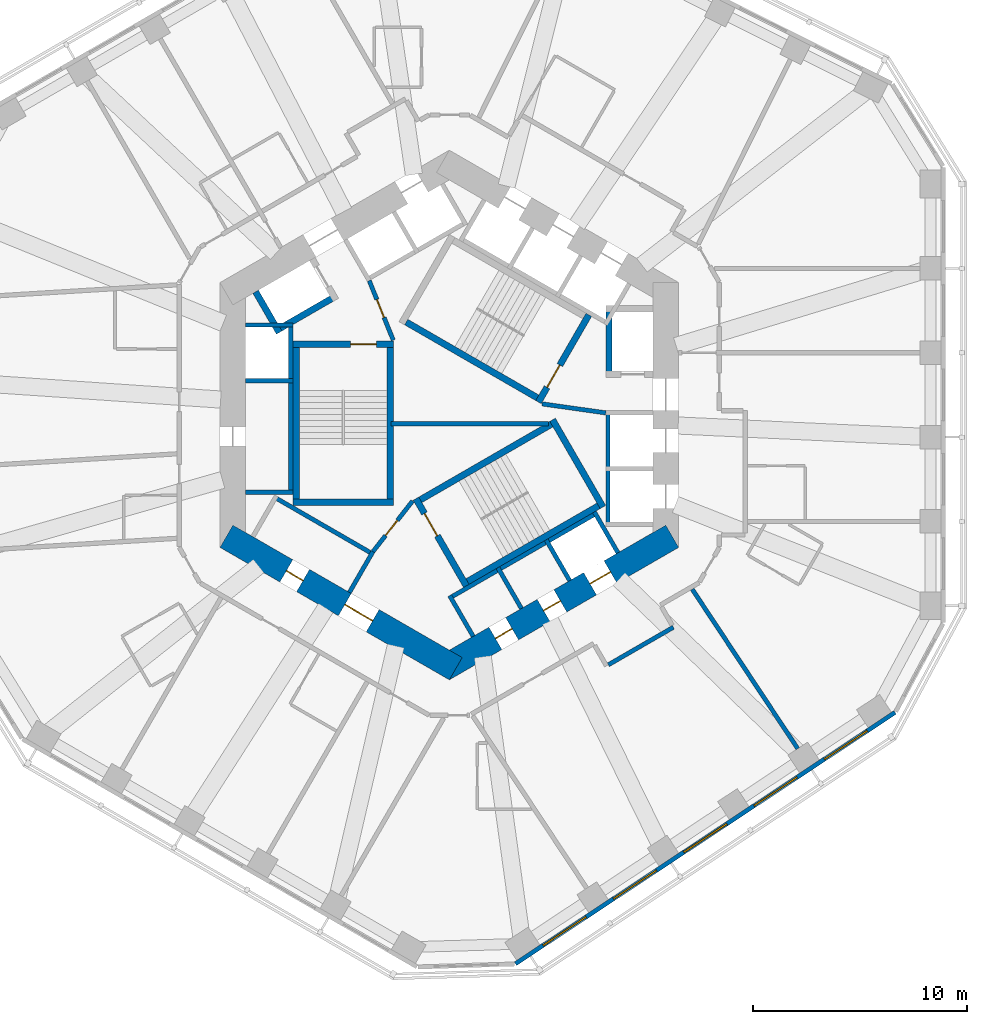
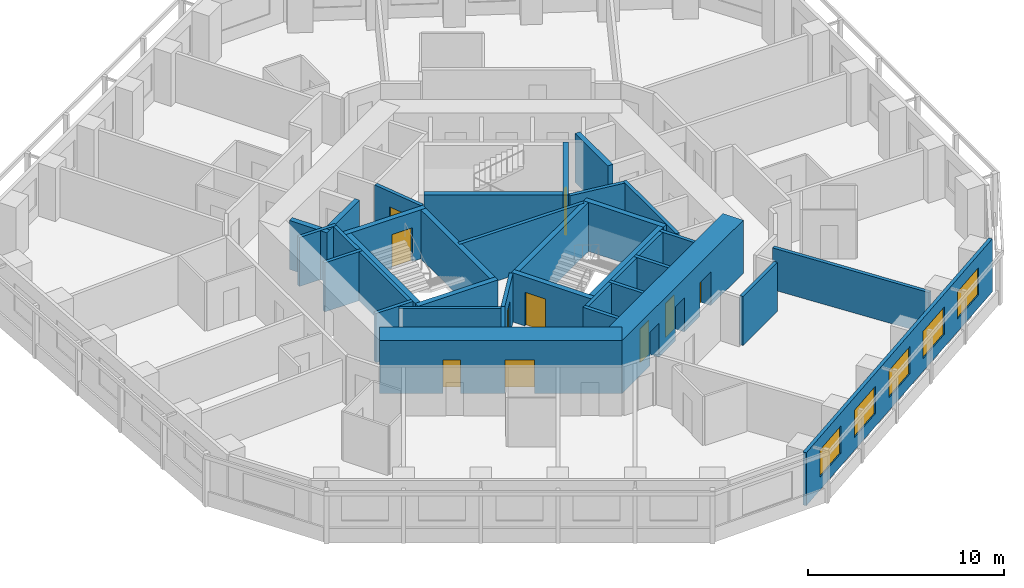
# One storey, part 5 of 11: 34 walls, 10 doors, 5 windows, 15 openings.
"""IFC4 building model written with IfcOpenShell, lengths in metres."""

from ifc_helpers import new_model, si_unit, direction, frame, frame_2d, origin, place, context, subcontext, project, spatial, rectangle, extrude, material, layer, layer_set, type_object, element, fill, save


model = new_model("IFC4")

# Units and contexts
model_context = context("Model", 3, precision=1e-05, world=origin(), true_north=direction((0.0, 1.0)))
body_context = subcontext(model_context, "Body", "Model", "MODEL_VIEW")
ifc_project = project(units=[si_unit("LENGTHUNIT", "METRE"), si_unit("AREAUNIT", "SQUARE_METRE"), si_unit("VOLUMEUNIT", "CUBIC_METRE"), si_unit("PLANEANGLEUNIT", "RADIAN"), si_unit("MASSUNIT", "GRAM", prefix="KILO")], contexts=[model_context])

# Site, building, storey
site_placement = place(None, origin())
site = spatial("IfcSite", under=ifc_project, at=site_placement, CompositionType="ELEMENT")
building_placement = place(site_placement, origin())
building = spatial("IfcBuilding", under=site, at=building_placement, Name="Vanh Sen Convention Tower", CompositionType="ELEMENT")
storey_placement = place(building_placement, frame((0.0, 0.0, 100.10009765625)))
storey = spatial("IfcBuildingStorey", under=building, at=storey_placement, Name="L23", CompositionType="ELEMENT", Elevation=100.10009765625)

# Wall, openings, doors
ifc_material_1 = material(Name="Concrete C80/95", Category="concrete")
ifc_layer_1 = layer(ifc_material_1, 1.199951171875)
ifc_layer_set_1 = layer_set([ifc_layer_1], Name="Concrete C80/95")
wall_type_1 = type_object("IfcWallType", Name="Core outer wall 1200 C80/95", PredefinedType="SHEAR", material=ifc_layer_set_1)
wall_1_placement = place(storey_placement, frame((-10.39990234375, -5.657958984375, 0.0), z_axis=(0.0, 0.0, 1.0), x_axis=(0.866021384402, -0.500006961711, 0.0)))
wall_1 = element("IfcWall", 1, at=wall_1_placement, inside=storey, type_object=wall_type_1, Name="Core wall face SW L23", PredefinedType="SHEAR", context=body_context, shape_type="SweptSolid", body=[
    extrude(rectangle(XDim=12.355224609375, YDim=1.199951171875, at=frame_2d((6.177734375, 0.0))), origin(), (0.0, 0.0, 1.0), 3.2998046875),
])
opening_1_placement = place(wall_1_placement, frame((6.377685546875, 0.0, 0.0)))
opening_1 = element("IfcOpeningElement", 2, at=opening_1_placement, cuts=wall_1, Name="Opening D22003", PredefinedType="OPENING", context=body_context, shape_type="SweptSolid", body=[
    extrude(rectangle(XDim=1.5, YDim=2.10009765625, at=frame_2d((0.75, 1.050048828125))), frame((0.0, 0.60986328125, 0.0), z_axis=(0.0, -1.0, 0.0), x_axis=(1.0, 0.0, 0.0)), (0.0, 0.0, 1.0), 1.219970703125),
])
opening_2_placement = place(wall_1_placement, frame((3.227783203125, 0.0, 0.0)))
opening_2 = element("IfcOpeningElement", 3, at=opening_2_placement, cuts=wall_1, Name="Opening D22010", PredefinedType="OPENING", context=body_context, shape_type="SweptSolid", body=[
    extrude(rectangle(XDim=0.89990234375, YDim=2.10009765625, at=frame_2d((0.449951171875, 1.050048828125))), frame((0.0, 0.60986328125, 0.0), z_axis=(0.0, -1.0, 0.0), x_axis=(1.0, 0.0, 0.0)), (0.0, 0.0, 1.0), 1.219970703125),
])
ifc_material_2 = material(Name="Steel S355", Category="steel")
door_type_1 = type_object("IfcDoorType", Name="Plant door 900", OperationType="SINGLE_SWING_LEFT", PredefinedType="DOOR", material=ifc_material_2)
door_1_placement = place(opening_2_placement, origin())
door_1 = element("IfcDoor", 4, at=door_1_placement, inside=storey, type_object=door_type_1, Name="Plant door D22010", OperationType="SINGLE_SWING_LEFT", OverallHeight=2.10009765625, OverallWidth=0.89990234375, PredefinedType="DOOR", context=body_context, shape_type="SweptSolid", body=[
    extrude(rectangle(XDim=0.89990234375, YDim=2.10009765625, at=frame_2d((0.449951171875, 1.050048828125))), frame((0.0, 0.02490234375, 0.0), z_axis=(0.0, -1.0, 0.0), x_axis=(1.0, 0.0, 0.0)), (0.0, 0.0, 1.0), 0.050048828125),
])
fill(opening_2, door_1)
door_type_2 = type_object("IfcDoorType", Name="Stair lobby door 1500", OperationType="DOUBLE_DOOR_SINGLE_SWING", PredefinedType="DOOR", material=ifc_material_2)
door_2_placement = place(opening_1_placement, origin())
door_2 = element("IfcDoor", 5, at=door_2_placement, inside=storey, type_object=door_type_2, Name="Stair lobby door D22003", OperationType="DOUBLE_DOOR_SINGLE_SWING", OverallHeight=2.10009765625, OverallWidth=1.5, PredefinedType="DOOR", context=body_context, shape_type="SweptSolid", body=[
    extrude(rectangle(XDim=1.5, YDim=2.10009765625, at=frame_2d((0.75, 1.050048828125))), frame((0.0, 0.02490234375, 0.0), z_axis=(0.0, -1.0, 0.0), x_axis=(1.0, 0.0, 0.0)), (0.0, 0.0, 1.0), 0.050048828125),
])
fill(opening_1, door_2)

wall_2_placement = place(storey_placement, frame((-0.300048828125, -11.835693359375, 0.0), z_axis=(0.0, 0.0, 1.0), x_axis=(0.866021384402, 0.500006961711, 0.0)))
wall_2 = element("IfcWall", 6, at=wall_2_placement, inside=storey, type_object=wall_type_1, Name="Core wall face SE L23", PredefinedType="SHEAR", context=body_context, shape_type="SweptSolid", body=[
    extrude(rectangle(XDim=12.355224609375, YDim=1.199951171875, at=frame_2d((6.177734375, 0.0))), origin(), (0.0, 0.0, 1.0), 3.2998046875),
])
opening_3_placement = place(wall_2_placement, frame((2.82763671875, 0.0, 0.0)))
opening_3 = element("IfcOpeningElement", 7, at=opening_3_placement, cuts=wall_2, Name="Opening D22011", PredefinedType="OPENING", context=body_context, shape_type="SweptSolid", body=[
    extrude(rectangle(XDim=0.89990234375, YDim=2.10009765625, at=frame_2d((0.449951171875, 1.050048828125))), frame((0.0, 0.60986328125, 0.0), z_axis=(0.0, -1.0, 0.0), x_axis=(1.0, 0.0, 0.0)), (0.0, 0.0, 1.0), 1.219970703125),
])
opening_4_placement = place(wall_2_placement, frame((5.427734375, 0.0, 0.0)))
opening_4 = element("IfcOpeningElement", 8, at=opening_4_placement, cuts=wall_2, Name="Opening D22012", PredefinedType="OPENING", context=body_context, shape_type="SweptSolid", body=[
    extrude(rectangle(XDim=0.89990234375, YDim=2.10009765625, at=frame_2d((0.449951171875, 1.050048828125))), frame((0.0, 0.60986328125, 0.0), z_axis=(0.0, -1.0, 0.0), x_axis=(1.0, 0.0, 0.0)), (0.0, 0.0, 1.0), 1.219970703125),
])
opening_5_placement = place(wall_2_placement, frame((7.927734375, 0.0, 0.0)))
opening_5 = element("IfcOpeningElement", 9, at=opening_5_placement, cuts=wall_2, Name="Opening LD-SV1", PredefinedType="OPENING", context=body_context, shape_type="SweptSolid", body=[
    extrude(rectangle(XDim=1.10009765625, YDim=2.10009765625, at=frame_2d((0.550048828125, 1.050048828125))), frame((0.0, 0.60986328125, 0.0), z_axis=(0.0, -1.0, 0.0), x_axis=(1.0, 0.0, 0.0)), (0.0, 0.0, 1.0), 1.219970703125),
])
ifc_material_3 = material(Name="Stainless steel", Category="steel")
door_type_3 = type_object("IfcDoorType", Name="Lift landing door 1100", OperationType="DOUBLE_DOOR_SLIDING", PredefinedType="DOOR", material=ifc_material_3)
door_3_placement = place(opening_5_placement, origin())
door_3 = element("IfcDoor", 10, at=door_3_placement, inside=storey, type_object=door_type_3, Name="Lift SV1 landing door LD-SV1", OperationType="DOUBLE_DOOR_SLIDING", OverallHeight=2.10009765625, OverallWidth=1.10009765625, PredefinedType="DOOR", context=body_context, shape_type="SweptSolid", body=[
    extrude(rectangle(XDim=1.10009765625, YDim=2.10009765625, at=frame_2d((0.550048828125, 1.050048828125))), frame((0.0, 0.02490234375, 0.0), z_axis=(0.0, -1.0, 0.0), x_axis=(1.0, 0.0, 0.0)), (0.0, 0.0, 1.0), 0.050048828125),
])
fill(opening_5, door_3)
door_4_placement = place(opening_3_placement, origin())
door_4 = element("IfcDoor", 11, at=door_4_placement, inside=storey, type_object=door_type_1, Name="Plant door D22011", OperationType="SINGLE_SWING_LEFT", OverallHeight=2.10009765625, OverallWidth=0.89990234375, PredefinedType="DOOR", context=body_context, shape_type="SweptSolid", body=[
    extrude(rectangle(XDim=0.89990234375, YDim=2.10009765625, at=frame_2d((0.449951171875, 1.050048828125))), frame((0.0, 0.02490234375, 0.0), z_axis=(0.0, -1.0, 0.0), x_axis=(1.0, 0.0, 0.0)), (0.0, 0.0, 1.0), 0.050048828125),
])
fill(opening_3, door_4)
door_5_placement = place(opening_4_placement, origin())
door_5 = element("IfcDoor", 12, at=door_5_placement, inside=storey, type_object=door_type_1, Name="Plant door D22012", OperationType="SINGLE_SWING_LEFT", OverallHeight=2.10009765625, OverallWidth=0.89990234375, PredefinedType="DOOR", context=body_context, shape_type="SweptSolid", body=[
    extrude(rectangle(XDim=0.89990234375, YDim=2.10009765625, at=frame_2d((0.449951171875, 1.050048828125))), frame((0.0, 0.02490234375, 0.0), z_axis=(0.0, -1.0, 0.0), x_axis=(1.0, 0.0, 0.0)), (0.0, 0.0, 1.0), 0.050048828125),
])
fill(opening_4, door_5)

# Walls
ifc_material_4 = material(Name="Masonry blockwork", Category="masonry")
ifc_layer_2 = layer(ifc_material_4, 0.199951171875)
ifc_layer_set_2 = layer_set([ifc_layer_2], Name="Masonry blockwork")
wall_type_2 = type_object("IfcWallType", Name="Core partition 200", PredefinedType="PARTITIONING", material=ifc_layer_set_2)
wall_3_placement = place(storey_placement, frame((-2.719970703125, -0.39990234375, 0.0), z_axis=(0.0, 0.0, 1.0), x_axis=(1.0, 0.0, 0.0)))
element("IfcWall", 13, at=wall_3_placement, inside=storey, type_object=wall_type_2, Name="Core partition L23", PredefinedType="PARTITIONING", context=body_context, shape_type="SweptSolid", body=[
    extrude(rectangle(XDim=7.34716796875, YDim=0.199951171875, at=frame_2d((3.673583984375, 0.0))), origin(), (0.0, 0.0, 1.0), 3.0498046875),
])
ifc_material_5 = material(Name="Gypsum board on steel studs with mineral wool", Category="steel")
ifc_layer_3 = layer(ifc_material_5, 0.199951171875)
ifc_layer_set_3 = layer_set([ifc_layer_3], Name="Gypsum board on steel studs with mineral wool")
wall_type_3 = type_object("IfcWallType", Name="Corridor partition wall 200", PredefinedType="PARTITIONING", material=ifc_layer_set_3)
wall_4_placement = place(storey_placement, frame((7.419189453125, -11.652587890625, 0.0), z_axis=(0.0, 0.0, 1.0), x_axis=(0.866038154057, 0.49997791523, 0.0)))
element("IfcWall", 14, at=wall_4_placement, inside=storey, type_object=wall_type_3, Name="Corridor partition wall 200", PredefinedType="PARTITIONING", context=body_context, shape_type="SweptSolid", body=[
    extrude(rectangle(XDim=3.502197265625, YDim=0.199951171875, at=frame_2d((1.7509765625, 0.0))), origin(), (0.0, 0.0, 1.0), 3.0498046875),
])

# Wall, openings, windows
ifc_material_6 = material(Name="Insulated lightweight infill wall")
ifc_layer_4 = layer(ifc_material_6, 0.199951171875)
ifc_layer_set_4 = layer_set([ifc_layer_4], Name="Insulated lightweight infill wall")
wall_type_4 = type_object("IfcWallType", Name="External wall 200", PredefinedType="STANDARD", material=ifc_layer_set_4)
wall_5_placement = place(storey_placement, frame((3.0830078125, -25.60107421875, 0.0), z_axis=(0.0, 0.0, 1.0), x_axis=(0.833884295743, 0.551939291329, 0.0)))
wall_5 = element("IfcWall", 15, at=wall_5_placement, inside=storey, type_object=wall_type_4, Name="External wall SE L23", PredefinedType="STANDARD", context=body_context, shape_type="SweptSolid", body=[
    extrude(rectangle(XDim=21.24609375, YDim=0.199951171875, at=frame_2d((10.623046875, 0.0))), origin(), (0.0, 0.0, 1.0), 3.2998046875),
])
opening_6_placement = place(wall_5_placement, frame((1.552978515625, 0.0, 0.800048828125)))
opening_6 = element("IfcOpeningElement", 16, at=opening_6_placement, cuts=wall_5, Name="Opening WH1-SE1", PredefinedType="OPENING", context=body_context, shape_type="SweptSolid", body=[
    extrude(rectangle(XDim=2.39990234375, YDim=1.699951171875, at=frame_2d((1.199951171875, 0.85009765625))), frame((0.0, 0.10986328125, 0.0), z_axis=(0.0, -1.0, 0.0), x_axis=(1.0, 0.0, 0.0)), (0.0, 0.0, 1.0), 0.219970703125),
])
opening_7_placement = place(wall_5_placement, frame((5.487548828125, 0.0, 0.800048828125)))
opening_7 = element("IfcOpeningElement", 17, at=opening_7_placement, cuts=wall_5, Name="Opening WH1-SE2", PredefinedType="OPENING", context=body_context, shape_type="SweptSolid", body=[
    extrude(rectangle(XDim=2.39990234375, YDim=1.699951171875, at=frame_2d((1.199951171875, 0.85009765625))), frame((0.0, 0.10986328125, 0.0), z_axis=(0.0, -1.0, 0.0), x_axis=(1.0, 0.0, 0.0)), (0.0, 0.0, 1.0), 0.219970703125),
])
opening_8_placement = place(wall_5_placement, frame((9.422119140625, 0.0, 0.800048828125)))
opening_8 = element("IfcOpeningElement", 18, at=opening_8_placement, cuts=wall_5, Name="Opening WH1-SE3", PredefinedType="OPENING", context=body_context, shape_type="SweptSolid", body=[
    extrude(rectangle(XDim=2.39990234375, YDim=1.699951171875, at=frame_2d((1.199951171875, 0.85009765625))), frame((0.0, 0.10986328125, 0.0), z_axis=(0.0, -1.0, 0.0), x_axis=(1.0, 0.0, 0.0)), (0.0, 0.0, 1.0), 0.219970703125),
])
opening_9_placement = place(wall_5_placement, frame((13.356689453125, 0.0, 0.800048828125)))
opening_9 = element("IfcOpeningElement", 19, at=opening_9_placement, cuts=wall_5, Name="Opening WH1-SE4", PredefinedType="OPENING", context=body_context, shape_type="SweptSolid", body=[
    extrude(rectangle(XDim=2.39990234375, YDim=1.699951171875, at=frame_2d((1.199951171875, 0.85009765625))), frame((0.0, 0.10986328125, 0.0), z_axis=(0.0, -1.0, 0.0), x_axis=(1.0, 0.0, 0.0)), (0.0, 0.0, 1.0), 0.219970703125),
])
opening_10_placement = place(wall_5_placement, frame((17.291259765625, 0.0, 0.800048828125)))
opening_10 = element("IfcOpeningElement", 20, at=opening_10_placement, cuts=wall_5, Name="Opening WH1-SE5", PredefinedType="OPENING", context=body_context, shape_type="SweptSolid", body=[
    extrude(rectangle(XDim=2.39990234375, YDim=1.699951171875, at=frame_2d((1.199951171875, 0.85009765625))), frame((0.0, 0.10986328125, 0.0), z_axis=(0.0, -1.0, 0.0), x_axis=(1.0, 0.0, 0.0)), (0.0, 0.0, 1.0), 0.219970703125),
])
ifc_material_7 = material(Name="Aluminium frame with clear low-emissivity glass", Category="aluminium")
window_type = type_object("IfcWindowType", Name="Hotel window 2400 x 1700", PartitioningType="SINGLE_PANEL", PredefinedType="WINDOW", material=ifc_material_7)
window_1_placement = place(opening_6_placement, origin())
window_1 = element("IfcWindow", 21, at=window_1_placement, inside=storey, type_object=window_type, Name="Window WH1-SE1", OverallHeight=1.699951171875, OverallWidth=2.39990234375, PartitioningType="SINGLE_PANEL", PredefinedType="WINDOW", context=body_context, shape_type="SweptSolid", body=[
    extrude(rectangle(XDim=2.39990234375, YDim=1.699951171875, at=frame_2d((1.199951171875, 0.85009765625))), frame((0.0, 0.030029296875, 0.0), z_axis=(0.0, -1.0, 0.0), x_axis=(1.0, 0.0, 0.0)), (0.0, 0.0, 1.0), 0.06005859375),
])
fill(opening_6, window_1)
window_2_placement = place(opening_7_placement, origin())
window_2 = element("IfcWindow", 22, at=window_2_placement, inside=storey, type_object=window_type, Name="Window WH1-SE2", OverallHeight=1.699951171875, OverallWidth=2.39990234375, PartitioningType="SINGLE_PANEL", PredefinedType="WINDOW", context=body_context, shape_type="SweptSolid", body=[
    extrude(rectangle(XDim=2.39990234375, YDim=1.699951171875, at=frame_2d((1.199951171875, 0.85009765625))), frame((0.0, 0.030029296875, 0.0), z_axis=(0.0, -1.0, 0.0), x_axis=(1.0, 0.0, 0.0)), (0.0, 0.0, 1.0), 0.06005859375),
])
fill(opening_7, window_2)
window_3_placement = place(opening_8_placement, origin())
window_3 = element("IfcWindow", 23, at=window_3_placement, inside=storey, type_object=window_type, Name="Window WH1-SE3", OverallHeight=1.699951171875, OverallWidth=2.39990234375, PartitioningType="SINGLE_PANEL", PredefinedType="WINDOW", context=body_context, shape_type="SweptSolid", body=[
    extrude(rectangle(XDim=2.39990234375, YDim=1.699951171875, at=frame_2d((1.199951171875, 0.85009765625))), frame((0.0, 0.030029296875, 0.0), z_axis=(0.0, -1.0, 0.0), x_axis=(1.0, 0.0, 0.0)), (0.0, 0.0, 1.0), 0.06005859375),
])
fill(opening_8, window_3)
window_4_placement = place(opening_9_placement, origin())
window_4 = element("IfcWindow", 24, at=window_4_placement, inside=storey, type_object=window_type, Name="Window WH1-SE4", OverallHeight=1.699951171875, OverallWidth=2.39990234375, PartitioningType="SINGLE_PANEL", PredefinedType="WINDOW", context=body_context, shape_type="SweptSolid", body=[
    extrude(rectangle(XDim=2.39990234375, YDim=1.699951171875, at=frame_2d((1.199951171875, 0.85009765625))), frame((0.0, 0.030029296875, 0.0), z_axis=(0.0, -1.0, 0.0), x_axis=(1.0, 0.0, 0.0)), (0.0, 0.0, 1.0), 0.06005859375),
])
fill(opening_9, window_4)
window_5_placement = place(opening_10_placement, origin())
window_5 = element("IfcWindow", 25, at=window_5_placement, inside=storey, type_object=window_type, Name="Window WH1-SE5", OverallHeight=1.699951171875, OverallWidth=2.39990234375, PartitioningType="SINGLE_PANEL", PredefinedType="WINDOW", context=body_context, shape_type="SweptSolid", body=[
    extrude(rectangle(XDim=2.39990234375, YDim=1.699951171875, at=frame_2d((1.199951171875, 0.85009765625))), frame((0.0, 0.030029296875, 0.0), z_axis=(0.0, -1.0, 0.0), x_axis=(1.0, 0.0, 0.0)), (0.0, 0.0, 1.0), 0.06005859375),
])
fill(opening_10, window_5)

# Walls
ifc_material_8 = material(Name="Concrete C60/75", Category="concrete")
ifc_layer_5 = layer(ifc_material_8, 0.300048828125)
ifc_layer_set_5 = layer_set([ifc_layer_5], Name="Concrete C60/75")
wall_type_5 = type_object("IfcWallType", Name="Fire-fighting lift shaft wall 300", PredefinedType="SHEAR", material=ifc_layer_set_5)
wall_6_placement = place(storey_placement, frame((7.449951171875, 1.75, 0.0), z_axis=(0.0, 0.0, 1.0), x_axis=(0.0, 1.0, 0.0)))
element("IfcWall", 26, at=wall_6_placement, inside=storey, type_object=wall_type_5, Name="Fire-fighting lift shaft wall L23", PredefinedType="SHEAR", context=body_context, shape_type="SweptSolid", body=[
    extrude(rectangle(XDim=3.35009765625, YDim=0.300048828125, at=frame_2d((1.675048828125, 0.0))), origin(), (0.0, 0.0, 1.0), 3.0498046875),
])
wall_7_placement = place(storey_placement, frame((-5.240478515625, 5.576904296875, 0.0), z_axis=(0.0, 0.0, 1.0), x_axis=(-0.866014461049, -0.500018952895, 0.0)))
element("IfcWall", 27, at=wall_7_placement, inside=storey, type_object=wall_type_5, Name="Fire-fighting lift shaft wall L23", PredefinedType="SHEAR", context=body_context, shape_type="SweptSolid", body=[
    extrude(rectangle(XDim=3.349853515625, YDim=0.300048828125, at=frame_2d((1.6748046875, 0.0))), origin(), (0.0, 0.0, 1.0), 3.0498046875),
])
wall_8_placement = place(storey_placement, frame((-7.936767578125, 3.846923828125, 0.0), z_axis=(0.0, 0.0, 1.0), x_axis=(-0.50002983664, 0.866008176907, 0.0)))
element("IfcWall", 28, at=wall_8_placement, inside=storey, type_object=wall_type_5, Name="Fire-fighting lift shaft wall L23", PredefinedType="SHEAR", context=body_context, shape_type="SweptSolid", body=[
    extrude(rectangle(XDim=2.199951171875, YDim=0.300048828125, at=frame_2d((1.10009765625, 0.0))), origin(), (0.0, 0.0, 1.0), 3.0498046875),
])
ifc_layer_6 = layer(ifc_material_5, 0.199951171875)
ifc_layer_set_6 = layer_set([ifc_layer_6], Name="Gypsum board on steel studs with mineral wool")
wall_type_6 = type_object("IfcWallType", Name="Hotel party wall 200", PredefinedType="PARTITIONING", material=ifc_layer_set_6)
wall_9_placement = place(storey_placement, frame((16.2548828125, -15.563720703125, 0.0), z_axis=(0.0, 0.0, 1.0), x_axis=(-0.55192208744, 0.833895682562, 0.0)))
element("IfcWall", 29, at=wall_9_placement, inside=storey, type_object=wall_type_6, Name="Hotel party wall 200", PredefinedType="PARTITIONING", context=body_context, shape_type="SweptSolid", body=[
    extrude(rectangle(XDim=8.912841796875, YDim=0.199951171875, at=frame_2d((4.45654296875, 0.0))), origin(), (0.0, 0.0, 1.0), 2.599853515625),
])
ifc_material_9 = material(Name="Concrete C40/50", Category="concrete")
ifc_layer_7 = layer(ifc_material_9, 0.199951171875)
ifc_layer_set_7 = layer_set([ifc_layer_7], Name="Concrete C40/50")
wall_type_7 = type_object("IfcWallType", Name="Lift shaft wall 200", PredefinedType="PARTITIONING", material=ifc_layer_set_7)
wall_10_placement = place(storey_placement, frame((7.39990234375, -5.199951171875, 0.0), z_axis=(0.0, 0.0, 1.0), x_axis=(0.0, 1.0, 0.0)))
element("IfcWall", 30, at=wall_10_placement, inside=storey, type_object=wall_type_7, Name="Lift shaft wall L23", PredefinedType="PARTITIONING", context=body_context, shape_type="SweptSolid", body=[
    extrude(rectangle(XDim=5.39990234375, YDim=0.199951171875, at=frame_2d((2.699951171875, 0.0))), origin(), (0.0, 0.0, 1.0), 3.0498046875),
])
wall_11_placement = place(storey_placement, frame((-7.39990234375, 4.300048828125, 0.0), z_axis=(0.0, 0.0, 1.0), x_axis=(0.0, -1.0, 0.0)))
element("IfcWall", 31, at=wall_11_placement, inside=storey, type_object=wall_type_7, Name="Lift shaft wall L23", PredefinedType="PARTITIONING", context=body_context, shape_type="SweptSolid", body=[
    extrude(rectangle(XDim=8.0, YDim=0.199951171875, at=frame_2d((4.0, 0.0))), origin(), (0.0, 0.0, 1.0), 3.0498046875),
])
for number, where, z_axis, x_axis, name in (
    (32, (-7.300048828125, 4.199951171875, 0.0), (0.0, 0.0, 1.0), (-1.0, 0.0, 0.0), "Lift shaft wall L23"),
    (33, (-7.300048828125, 1.60009765625, 0.0), (0.0, 0.0, 1.0), (-1.0, 0.0, 0.0), "Lift shaft wall L23"),
    (34, (-7.300048828125, -3.60009765625, 0.0), (0.0, 0.0, 1.0), (-1.0, 0.0, 0.0), "Lift shaft wall L23"),
):
    element("IfcWall", number, at=place(storey_placement, frame(where, z_axis=z_axis, x_axis=x_axis)), inside=storey, type_object=wall_type_7, Name=name, PredefinedType="PARTITIONING", context=body_context, shape_type="SweptSolid", body=[
        extrude(rectangle(XDim=2.199951171875, YDim=0.199951171875, at=frame_2d((1.10009765625, 0.0))), origin(), (0.0, 0.0, 1.0), 3.0498046875),
    ])
wall_12_placement = place(storey_placement, frame((-8.203369140625, -3.80859375, 0.0), z_axis=(0.0, 0.0, 1.0), x_axis=(0.866028230842, -0.499995103361, 0.0)))
element("IfcWall", 35, at=wall_12_placement, inside=storey, type_object=wall_type_7, Name="Lift shaft wall L23", PredefinedType="PARTITIONING", context=body_context, shape_type="SweptSolid", body=[
    extrude(rectangle(XDim=5.39990234375, YDim=0.199951171875, at=frame_2d((2.699951171875, 0.0))), origin(), (0.0, 0.0, 1.0), 3.0498046875),
])
wall_13_placement = place(storey_placement, frame((-3.5634765625, -6.3720703125, 0.0), z_axis=(0.0, 0.0, 1.0), x_axis=(-0.499994660107, -0.866028486751, 0.0)))
element("IfcWall", 36, at=wall_13_placement, inside=storey, type_object=wall_type_7, Name="Lift shaft wall L23", PredefinedType="PARTITIONING", context=body_context, shape_type="SweptSolid", body=[
    extrude(rectangle(XDim=2.19970703125, YDim=0.199951171875, at=frame_2d((1.099853515625, 0.0))), origin(), (0.0, 0.0, 1.0), 3.0498046875),
])
wall_14_placement = place(storey_placement, frame((-0.02392578125, -8.55859375, 0.0), z_axis=(0.0, 0.0, 1.0), x_axis=(0.866026010844, 0.49999894854, 0.0)))
element("IfcWall", 37, at=wall_14_placement, inside=storey, type_object=wall_type_7, Name="Lift shaft wall L23", PredefinedType="PARTITIONING", context=body_context, shape_type="SweptSolid", body=[
    extrude(rectangle(XDim=8.0, YDim=0.199951171875, at=frame_2d((4.0, 0.0))), origin(), (0.0, 0.0, 1.0), 3.0498046875),
])
for number, where, z_axis, x_axis, name in (
    (38, (0.0126953125, -8.422119140625, 0.0), (0.0, 0.0, 1.0), (0.500077893725, -0.86598042715, 0.0), "Lift shaft wall L23"),
    (39, (2.264404296875, -7.1220703125, 0.0), (0.0, 0.0, 1.0), (0.500077893725, -0.86598042715, 0.0), "Lift shaft wall L23"),
    (40, (4.51611328125, -5.822021484375, 0.0), (0.0, 0.0, 1.0), (0.499946605688, -0.86605622881, 0.0), "Lift shaft wall L23"),
    (41, (6.767578125, -4.52197265625, 0.0), (0.0, 0.0, 1.0), (0.50002983664, -0.866008176907, 0.0), "Lift shaft wall L23"),
):
    element("IfcWall", number, at=place(storey_placement, frame(where, z_axis=z_axis, x_axis=x_axis)), inside=storey, type_object=wall_type_7, Name=name, PredefinedType="PARTITIONING", context=body_context, shape_type="SweptSolid", body=[
        extrude(rectangle(XDim=2.199951171875, YDim=0.199951171875, at=frame_2d((1.10009765625, 0.0))), origin(), (0.0, 0.0, 1.0), 3.0498046875),
    ])
ifc_layer_8 = layer(ifc_material_9, 0.199951171875)
ifc_layer_set_8 = layer_set([ifc_layer_8], Name="Concrete C40/50")
wall_type_8 = type_object("IfcWallType", Name="Stair lobby wall 200", PredefinedType="PARTITIONING", material=ifc_layer_set_8)
wall_15_placement = place(storey_placement, frame((4.327392578125, 0.52099609375, 0.0), z_axis=(0.0, 0.0, 1.0), x_axis=(0.990124376366, -0.14019172346, 0.0)))
element("IfcWall", 42, at=wall_15_placement, inside=storey, type_object=wall_type_8, Name="Stair lobby wall L23", PredefinedType="PARTITIONING", context=body_context, shape_type="SweptSolid", body=[
    extrude(rectangle(XDim=3.002197265625, YDim=0.199951171875, at=frame_2d((1.5009765625, 0.0))), origin(), (0.0, 0.0, 1.0), 3.0498046875),
])

# Wall, opening, door
wall_16_placement = place(storey_placement, frame((-2.614990234375, 3.487060546875, 0.0), z_axis=(0.0, 0.0, 1.0), x_axis=(-0.373576831041, 0.92759924068, 0.0)))
wall_16 = element("IfcWall", 43, at=wall_16_placement, inside=storey, type_object=wall_type_8, Name="Stair lobby wall L23", PredefinedType="PARTITIONING", context=body_context, shape_type="SweptSolid", body=[
    extrude(rectangle(XDim=3.002197265625, YDim=0.199951171875, at=frame_2d((1.5009765625, 0.0))), origin(), (0.0, 0.0, 1.0), 3.0498046875),
])
opening_11_placement = place(wall_16_placement, frame((1.14990234375, 0.0, 0.0)))
opening_11 = element("IfcOpeningElement", 44, at=opening_11_placement, cuts=wall_16, Name="Opening D22007", PredefinedType="OPENING", context=body_context, shape_type="SweptSolid", body=[
    extrude(rectangle(XDim=0.89990234375, YDim=2.10009765625, at=frame_2d((0.449951171875, 1.050048828125))), frame((0.0, 0.10986328125, 0.0), z_axis=(0.0, -1.0, 0.0), x_axis=(1.0, 0.0, 0.0)), (0.0, 0.0, 1.0), 0.219970703125),
])
door_6_placement = place(opening_11_placement, origin())
door_6 = element("IfcDoor", 45, at=door_6_placement, inside=storey, type_object=door_type_1, Name="Plant door D22007", OperationType="SINGLE_SWING_LEFT", OverallHeight=2.10009765625, OverallWidth=0.89990234375, PredefinedType="DOOR", context=body_context, shape_type="SweptSolid", body=[
    extrude(rectangle(XDim=0.89990234375, YDim=2.10009765625, at=frame_2d((0.449951171875, 1.050048828125))), frame((0.0, 0.02490234375, 0.0), z_axis=(0.0, -1.0, 0.0), x_axis=(1.0, 0.0, 0.0)), (0.0, 0.0, 1.0), 0.050048828125),
])
fill(opening_11, door_6)

wall_17_placement = place(storey_placement, frame((-1.71240234375, -4.00830078125, 0.0), z_axis=(0.0, 0.0, 1.0), x_axis=(-0.616549420702, -0.787316208287, 0.0)))
wall_17 = element("IfcWall", 46, at=wall_17_placement, inside=storey, type_object=wall_type_8, Name="Stair lobby wall L23", PredefinedType="PARTITIONING", context=body_context, shape_type="SweptSolid", body=[
    extrude(rectangle(XDim=3.002197265625, YDim=0.199951171875, at=frame_2d((1.5009765625, 0.0))), origin(), (0.0, 0.0, 1.0), 3.0498046875),
])
opening_12_placement = place(wall_17_placement, frame((1.14990234375, 0.0, 0.0)))
opening_12 = element("IfcOpeningElement", 47, at=opening_12_placement, cuts=wall_17, Name="Opening D22008", PredefinedType="OPENING", context=body_context, shape_type="SweptSolid", body=[
    extrude(rectangle(XDim=0.89990234375, YDim=2.10009765625, at=frame_2d((0.449951171875, 1.050048828125))), frame((0.0, 0.10986328125, 0.0), z_axis=(0.0, -1.0, 0.0), x_axis=(1.0, 0.0, 0.0)), (0.0, 0.0, 1.0), 0.219970703125),
])
door_7_placement = place(opening_12_placement, origin())
door_7 = element("IfcDoor", 48, at=door_7_placement, inside=storey, type_object=door_type_1, Name="Plant door D22008", OperationType="SINGLE_SWING_LEFT", OverallHeight=2.10009765625, OverallWidth=0.89990234375, PredefinedType="DOOR", context=body_context, shape_type="SweptSolid", body=[
    extrude(rectangle(XDim=0.89990234375, YDim=2.10009765625, at=frame_2d((0.449951171875, 1.050048828125))), frame((0.0, 0.02490234375, 0.0), z_axis=(0.0, -1.0, 0.0), x_axis=(1.0, 0.0, 0.0)), (0.0, 0.0, 1.0), 0.050048828125),
])
fill(opening_12, door_7)

ifc_layer_9 = layer(ifc_material_8, 0.300048828125)
ifc_layer_set_9 = layer_set([ifc_layer_9], Name="Concrete C60/75")
wall_type_9 = type_object("IfcWallType", Name="Stair wall 300", PredefinedType="SHEAR", material=ifc_layer_set_9)
wall_18_placement = place(storey_placement, frame((4.157958984375, 0.601806640625, 0.0), z_axis=(0.0, 0.0, 1.0), x_axis=(0.499977259774, 0.866038532462, 0.0)))
wall_18 = element("IfcWall", 49, at=wall_18_placement, inside=storey, type_object=wall_type_9, Name="Stair wall L23", PredefinedType="SHEAR", context=body_context, shape_type="SweptSolid", body=[
    extrude(rectangle(XDim=4.699951171875, YDim=0.300048828125, at=frame_2d((2.35009765625, 0.0))), origin(), (0.0, 0.0, 1.0), 3.0498046875),
])
opening_13_placement = place(wall_18_placement, frame((0.800048828125, 0.0, 0.0)))
opening_13 = element("IfcOpeningElement", 50, at=opening_13_placement, cuts=wall_18, Name="Opening D22004", PredefinedType="OPENING", context=body_context, shape_type="SweptSolid", body=[
    extrude(rectangle(XDim=1.199951171875, YDim=2.10009765625, at=frame_2d((0.60009765625, 1.050048828125))), frame((0.0, 0.159912109375, 0.0), z_axis=(0.0, -1.0, 0.0), x_axis=(1.0, 0.0, 0.0)), (0.0, 0.0, 1.0), 0.320068359375),
])
door_type_4 = type_object("IfcDoorType", Name="Stair door 1200", OperationType="SINGLE_SWING_RIGHT", PredefinedType="DOOR", material=ifc_material_2)
door_8_placement = place(opening_13_placement, origin())
door_8 = element("IfcDoor", 51, at=door_8_placement, inside=storey, type_object=door_type_4, Name="Stair ST1 door D22004", OperationType="SINGLE_SWING_RIGHT", OverallHeight=2.10009765625, OverallWidth=1.199951171875, PredefinedType="DOOR", context=body_context, shape_type="SweptSolid", body=[
    extrude(rectangle(XDim=1.199951171875, YDim=2.10009765625, at=frame_2d((0.60009765625, 1.050048828125))), frame((0.0, 0.02490234375, 0.0), z_axis=(0.0, -1.0, 0.0), x_axis=(1.0, 0.0, 0.0)), (0.0, 0.0, 1.0), 0.050048828125),
])
fill(opening_13, door_8)

# Wall
wall_19_placement = place(storey_placement, frame((4.10302734375, 0.806640625, 0.0), z_axis=(0.0, 0.0, 1.0), x_axis=(-0.866027801685, 0.499995846692, 0.0)))
element("IfcWall", 52, at=wall_19_placement, inside=storey, type_object=wall_type_9, Name="Stair wall L23", PredefinedType="SHEAR", context=body_context, shape_type="SweptSolid", body=[
    extrude(rectangle(XDim=7.06005859375, YDim=0.300048828125, at=frame_2d((3.530029296875, 0.0))), origin(), (0.0, 0.0, 1.0), 3.0498046875),
])

# Wall, opening, door
wall_20_placement = place(storey_placement, frame((-2.60009765625, 3.300048828125, 0.0), z_axis=(0.0, 0.0, 1.0), x_axis=(-1.0, 0.0, 0.0)))
wall_20 = element("IfcWall", 53, at=wall_20_placement, inside=storey, type_object=wall_type_9, Name="Stair wall L23", PredefinedType="SHEAR", context=body_context, shape_type="SweptSolid", body=[
    extrude(rectangle(XDim=4.699951171875, YDim=0.300048828125, at=frame_2d((2.35009765625, 0.0))), origin(), (0.0, 0.0, 1.0), 3.0498046875),
])
opening_14_placement = place(wall_20_placement, frame((0.800048828125, 0.0, 0.0)))
opening_14 = element("IfcOpeningElement", 54, at=opening_14_placement, cuts=wall_20, Name="Opening D22005", PredefinedType="OPENING", context=body_context, shape_type="SweptSolid", body=[
    extrude(rectangle(XDim=1.199951171875, YDim=2.10009765625, at=frame_2d((0.60009765625, 1.050048828125))), frame((0.0, 0.159912109375, 0.0), z_axis=(0.0, -1.0, 0.0), x_axis=(1.0, 0.0, 0.0)), (0.0, 0.0, 1.0), 0.320068359375),
])
door_9_placement = place(opening_14_placement, origin())
door_9 = element("IfcDoor", 55, at=door_9_placement, inside=storey, type_object=door_type_4, Name="Stair ST2 door D22005", OperationType="SINGLE_SWING_RIGHT", OverallHeight=2.10009765625, OverallWidth=1.199951171875, PredefinedType="DOOR", context=body_context, shape_type="SweptSolid", body=[
    extrude(rectangle(XDim=1.199951171875, YDim=2.10009765625, at=frame_2d((0.60009765625, 1.050048828125))), frame((0.0, 0.02490234375, 0.0), z_axis=(0.0, -1.0, 0.0), x_axis=(1.0, 0.0, 0.0)), (0.0, 0.0, 1.0), 0.050048828125),
])
fill(opening_14, door_9)

# Walls
wall_21_placement = place(storey_placement, frame((-2.60009765625, -4.06005859375, 0.0), z_axis=(0.0, 0.0, 1.0), x_axis=(-1.0, 0.0, 0.0)))
element("IfcWall", 56, at=wall_21_placement, inside=storey, type_object=wall_type_9, Name="Stair wall L23", PredefinedType="SHEAR", context=body_context, shape_type="SweptSolid", body=[
    extrude(rectangle(XDim=4.699951171875, YDim=0.300048828125, at=frame_2d((2.35009765625, 0.0))), origin(), (0.0, 0.0, 1.0), 3.0498046875),
])
for number, where, z_axis, x_axis, name in (
    (57, (-2.75, 3.14990234375, 0.0), (0.0, 0.0, 1.0), (0.0, -1.0, 0.0), "Stair wall L23"),
    (58, (-7.14990234375, 3.14990234375, 0.0), (0.0, 0.0, 1.0), (0.0, -1.0, 0.0), "Stair wall L23"),
):
    element("IfcWall", number, at=place(storey_placement, frame(where, z_axis=z_axis, x_axis=x_axis)), inside=storey, type_object=wall_type_9, Name=name, PredefinedType="SHEAR", context=body_context, shape_type="SweptSolid", body=[
        extrude(rectangle(XDim=7.059814453125, YDim=0.300048828125, at=frame_2d((3.52978515625, 0.0))), origin(), (0.0, 0.0, 1.0), 3.0498046875),
    ])

# Wall, opening, door
wall_22_placement = place(storey_placement, frame((-1.557861328125, -3.901611328125, 0.0), z_axis=(0.0, 0.0, 1.0), x_axis=(0.499977259774, -0.866038532462, 0.0)))
wall_22 = element("IfcWall", 59, at=wall_22_placement, inside=storey, type_object=wall_type_9, Name="Stair wall L23", PredefinedType="SHEAR", context=body_context, shape_type="SweptSolid", body=[
    extrude(rectangle(XDim=4.699951171875, YDim=0.300048828125, at=frame_2d((2.35009765625, 0.0))), origin(), (0.0, 0.0, 1.0), 3.0498046875),
])
opening_15_placement = place(wall_22_placement, frame((0.800048828125, 0.0, 0.0)))
opening_15 = element("IfcOpeningElement", 60, at=opening_15_placement, cuts=wall_22, Name="Opening D22006", PredefinedType="OPENING", context=body_context, shape_type="SweptSolid", body=[
    extrude(rectangle(XDim=1.199951171875, YDim=2.10009765625, at=frame_2d((0.60009765625, 1.050048828125))), frame((0.0, 0.159912109375, 0.0), z_axis=(0.0, -1.0, 0.0), x_axis=(1.0, 0.0, 0.0)), (0.0, 0.0, 1.0), 0.320068359375),
])
door_10_placement = place(opening_15_placement, origin())
door_10 = element("IfcDoor", 61, at=door_10_placement, inside=storey, type_object=door_type_4, Name="Stair ST3 door D22006", OperationType="SINGLE_SWING_RIGHT", OverallHeight=2.10009765625, OverallWidth=1.199951171875, PredefinedType="DOOR", context=body_context, shape_type="SweptSolid", body=[
    extrude(rectangle(XDim=1.199951171875, YDim=2.10009765625, at=frame_2d((0.60009765625, 1.050048828125))), frame((0.0, 0.02490234375, 0.0), z_axis=(0.0, -1.0, 0.0), x_axis=(1.0, 0.0, 0.0)), (0.0, 0.0, 1.0), 0.050048828125),
])
fill(opening_15, door_10)

# Walls
wall_23_placement = place(storey_placement, frame((4.816162109375, -0.2216796875, 0.0), z_axis=(0.0, 0.0, 1.0), x_axis=(0.499977259774, -0.866038532462, 0.0)))
element("IfcWall", 62, at=wall_23_placement, inside=storey, type_object=wall_type_9, Name="Stair wall L23", PredefinedType="SHEAR", context=body_context, shape_type="SweptSolid", body=[
    extrude(rectangle(XDim=4.699951171875, YDim=0.300048828125, at=frame_2d((2.35009765625, 0.0))), origin(), (0.0, 0.0, 1.0), 3.0498046875),
])
for number, where, z_axis, x_axis, name in (
    (63, (-1.35302734375, -3.95654296875, 0.0), (0.0, 0.0, 1.0), (0.866027801685, 0.499995846692, 0.0), "Stair wall L23"),
    (64, (0.846923828125, -7.76708984375, 0.0), (0.0, 0.0, 1.0), (0.866027801685, 0.499995846692, 0.0), "Stair wall L23"),
):
    element("IfcWall", number, at=place(storey_placement, frame(where, z_axis=z_axis, x_axis=x_axis)), inside=storey, type_object=wall_type_9, Name=name, PredefinedType="SHEAR", context=body_context, shape_type="SweptSolid", body=[
        extrude(rectangle(XDim=7.06005859375, YDim=0.300048828125, at=frame_2d((3.530029296875, 0.0))), origin(), (0.0, 0.0, 1.0), 3.0498046875),
    ])

save(model, "model.ifc")
